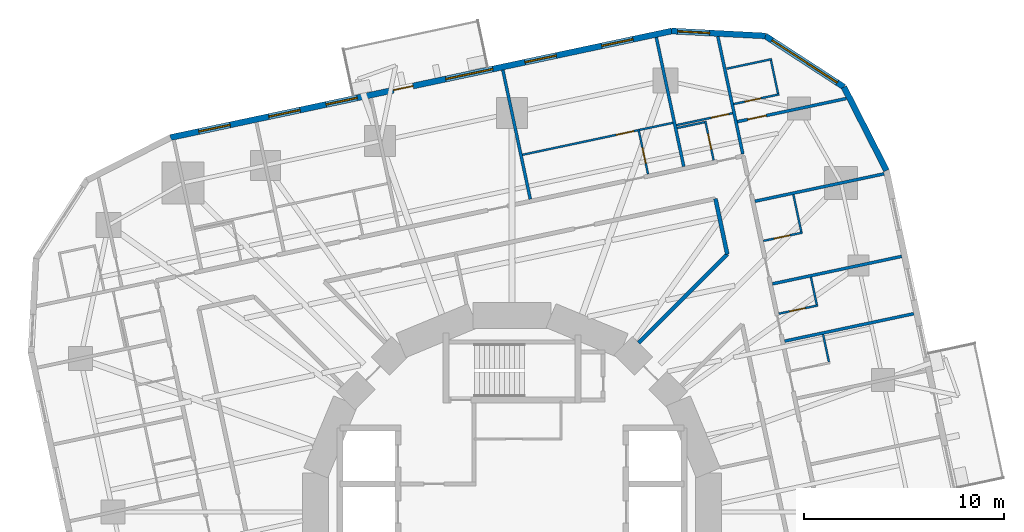
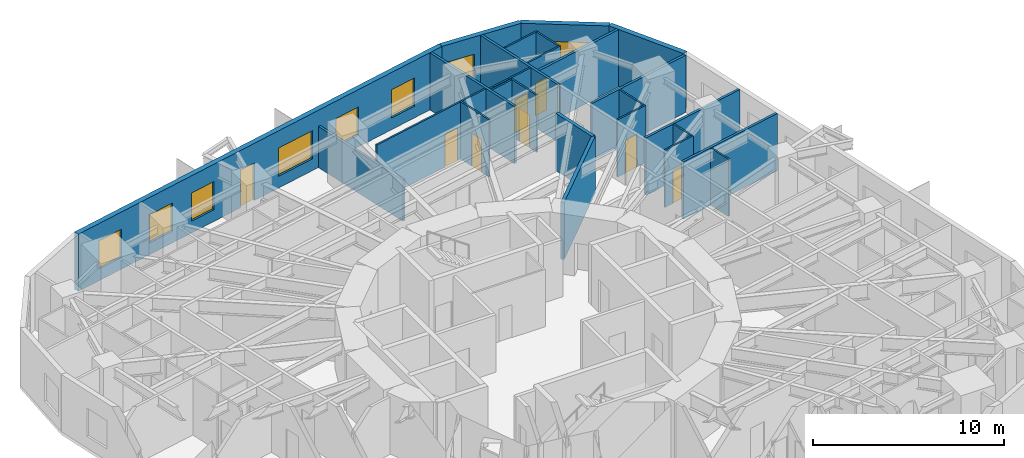
# One storey, part 11 of 14: 27 walls, 9 doors, 8 windows, 17 openings.
"""IFC4 building model written with IfcOpenShell, lengths in metres."""

from ifc_helpers import new_model, si_unit, direction, frame, frame_2d, origin, place, context, subcontext, project, spatial, rectangle, extrude, material, layer, layer_set, type_object, element, fill, save


model = new_model("IFC4")

# Units and contexts
model_context = context("Model", 3, precision=1e-05, world=origin(), true_north=direction((0.0, 1.0)))
body_context = subcontext(model_context, "Body", "Model", "MODEL_VIEW")
ifc_project = project(units=[si_unit("LENGTHUNIT", "METRE"), si_unit("AREAUNIT", "SQUARE_METRE"), si_unit("VOLUMEUNIT", "CUBIC_METRE"), si_unit("PLANEANGLEUNIT", "RADIAN"), si_unit("MASSUNIT", "GRAM", prefix="KILO")], contexts=[model_context])

# Site, building, storey
site_placement = place(None, origin())
site = spatial("IfcSite", under=ifc_project, at=site_placement, CompositionType="ELEMENT")
building_placement = place(site_placement, origin())
building = spatial("IfcBuilding", under=site, at=building_placement, Name="Nakasero Lantern House", CompositionType="ELEMENT")
storey_placement = place(building_placement, frame((0.0, 0.0, 116.550048828125)))
storey = spatial("IfcBuildingStorey", under=building, at=storey_placement, Name="L28", CompositionType="ELEMENT", Elevation=116.550048828125)

# Walls
ifc_material_1 = material(Name="Blockwork", Category="masonry")
ifc_layer_1 = layer(ifc_material_1, 0.199951171875)
ifc_layer_set_1 = layer_set([ifc_layer_1], Name="Corridor wall 200")
wall_type_1 = type_object("IfcWallType", Name="Corridor wall 200", PredefinedType="PARTITIONING", material=ifc_layer_set_1)
wall_1_placement = place(storey_placement, frame((10.75732421875, 12.878662109375, 0.0), z_axis=(0.0, 0.0, 1.0), x_axis=(-0.207908116695, 0.97814836043, 0.0)))
element("IfcWall", 1, at=wall_1_placement, inside=storey, type_object=wall_type_1, Name="Corridor wall L28 IW0-1", PredefinedType="PARTITIONING", context=body_context, shape_type="SweptSolid", body=[
    extrude(rectangle(XDim=2.83935546875, YDim=0.199951171875, at=frame_2d((1.419677734375, 0.0))), origin(), (0.0, 0.0, 1.0), 3.64990234375),
])
wall_2_placement = place(storey_placement, frame((6.334228515625, 8.45556640625, 0.0), z_axis=(0.0, 0.0, 1.0), x_axis=(0.707106781187, 0.707106781187, 0.0)))
element("IfcWall", 2, at=wall_2_placement, inside=storey, type_object=wall_type_1, Name="Corridor wall L28 PS02a", PredefinedType="PARTITIONING", context=body_context, shape_type="SweptSolid", body=[
    extrude(rectangle(XDim=6.255126953125, YDim=0.199951171875, at=frame_2d((3.12744140625, 0.0))), origin(), (0.0, 0.0, 1.0), 3.64990234375),
])
ifc_material_2 = material(Name="Blockwork", Category="masonry")
ifc_layer_2 = layer(ifc_material_2, 0.10009765625)
ifc_layer_set_2 = layer_set([ifc_layer_2], Name="En-suite wall 100")
wall_type_2 = type_object("IfcWallType", Name="En-suite wall 100", PredefinedType="PARTITIONING", material=ifc_layer_set_2)
wall_3_placement = place(storey_placement, frame((15.836669921875, 7.50048828125, 0.0), z_axis=(0.0, 0.0, 1.0), x_axis=(-0.207873355681, 0.978155748334, 0.0)))
element("IfcWall", 3, at=wall_3_placement, inside=storey, type_object=wall_type_2, Name="En-suite wall L28 EE0-05", PredefinedType="PARTITIONING", context=body_context, shape_type="SweptSolid", body=[
    extrude(rectangle(XDim=1.39990234375, YDim=0.10009765625, at=frame_2d((0.699951171875, 0.0))), origin(), (0.0, 0.0, 1.0), 3.64990234375),
])

# Wall, opening, door
wall_4_placement = place(storey_placement, frame((13.331298828125, 9.908447265625, 0.0), z_axis=(0.0, 0.0, 1.0), x_axis=(0.978128127149, 0.208003285743, 0.0)))
wall_4 = element("IfcWall", 4, at=wall_4_placement, inside=storey, type_object=wall_type_2, Name="En-suite wall L28 ES0-06", PredefinedType="PARTITIONING", context=body_context, shape_type="SweptSolid", body=[
    extrude(rectangle(XDim=2.0, YDim=0.10009765625, at=frame_2d((1.0, 0.0))), origin(), (0.0, 0.0, 1.0), 3.64990234375),
])
opening_1_placement = place(wall_4_placement, frame((0.550048828125, 0.0, 0.0)))
opening_1 = element("IfcOpeningElement", 5, at=opening_1_placement, cuts=wall_4, Name="Opening D02", PredefinedType="OPENING", context=body_context, shape_type="SweptSolid", body=[
    extrude(rectangle(XDim=0.800048828125, YDim=2.10009765625, at=frame_2d((0.39990234375, 1.050048828125))), frame((0.0, 0.070068359375, 0.0), z_axis=(0.0, -1.0, 0.0), x_axis=(1.0, 0.0, 0.0)), (0.0, 0.0, 1.0), 0.14013671875),
])
ifc_material_3 = material(Name="Timber C24", Category="wood")
door_type_1 = type_object("IfcDoorType", Name="En-suite door 800", OperationType="SINGLE_SWING_RIGHT", PredefinedType="DOOR", material=ifc_material_3)
door_1_placement = place(opening_1_placement, origin())
door_1 = element("IfcDoor", 6, at=door_1_placement, inside=storey, type_object=door_type_1, Name="Door L28 DE0-06", OperationType="SINGLE_SWING_LEFT", OverallHeight=2.10009765625, OverallWidth=0.800048828125, PredefinedType="DOOR", context=body_context, shape_type="SweptSolid", body=[
    extrude(rectangle(XDim=0.800048828125, YDim=2.10009765625, at=frame_2d((0.39990234375, 1.050048828125))), frame((0.0, 0.02490234375, 0.0), z_axis=(0.0, -1.0, 0.0), x_axis=(1.0, 0.0, 0.0)), (0.0, 0.0, 1.0), 0.050048828125),
])
fill(opening_1, door_1)

# Wall
wall_5_placement = place(storey_placement, frame((15.228271484375, 10.36279296875, 0.0), z_axis=(0.0, 0.0, 1.0), x_axis=(-0.207873355681, 0.978155748334, 0.0)))
element("IfcWall", 7, at=wall_5_placement, inside=storey, type_object=wall_type_2, Name="En-suite wall L28 EE0-06", PredefinedType="PARTITIONING", context=body_context, shape_type="SweptSolid", body=[
    extrude(rectangle(XDim=1.39990234375, YDim=0.10009765625, at=frame_2d((0.699951171875, 0.0))), origin(), (0.0, 0.0, 1.0), 3.64990234375),
])

# Wall, opening, door
wall_6_placement = place(storey_placement, frame((12.55810546875, 13.54541015625, 0.0), z_axis=(0.0, 0.0, 1.0), x_axis=(0.978152955943, 0.207886494942, 0.0)))
wall_6 = element("IfcWall", 8, at=wall_6_placement, inside=storey, type_object=wall_type_2, Name="En-suite wall L28 ES0-07", PredefinedType="PARTITIONING", context=body_context, shape_type="SweptSolid", body=[
    extrude(rectangle(XDim=2.0, YDim=0.10009765625, at=frame_2d((1.0, 0.0))), origin(), (0.0, 0.0, 1.0), 3.64990234375),
])
opening_2_placement = place(wall_6_placement, frame((0.550048828125, 0.0, 0.0)))
opening_2 = element("IfcOpeningElement", 9, at=opening_2_placement, cuts=wall_6, Name="Opening D02", PredefinedType="OPENING", context=body_context, shape_type="SweptSolid", body=[
    extrude(rectangle(XDim=0.800048828125, YDim=2.10009765625, at=frame_2d((0.39990234375, 1.050048828125))), frame((0.0, 0.070068359375, 0.0), z_axis=(0.0, -1.0, 0.0), x_axis=(1.0, 0.0, 0.0)), (0.0, 0.0, 1.0), 0.14013671875),
])
door_2_placement = place(opening_2_placement, origin())
door_2 = element("IfcDoor", 10, at=door_2_placement, inside=storey, type_object=door_type_1, Name="Door L28 DE0-07", OperationType="SINGLE_SWING_LEFT", OverallHeight=2.10009765625, OverallWidth=0.800048828125, PredefinedType="DOOR", context=body_context, shape_type="SweptSolid", body=[
    extrude(rectangle(XDim=0.800048828125, YDim=2.10009765625, at=frame_2d((0.39990234375, 1.050048828125))), frame((0.0, 0.02490234375, 0.0), z_axis=(0.0, -1.0, 0.0), x_axis=(1.0, 0.0, 0.0)), (0.0, 0.0, 1.0), 0.050048828125),
])
fill(opening_2, door_2)

# Wall
wall_7_placement = place(storey_placement, frame((14.455078125, 13.999755859375, 0.0), z_axis=(0.0, 0.0, 1.0), x_axis=(-0.207914082431, 0.978147092378, 0.0)))
element("IfcWall", 11, at=wall_7_placement, inside=storey, type_object=wall_type_2, Name="En-suite wall L28 EE0-07", PredefinedType="PARTITIONING", context=body_context, shape_type="SweptSolid", body=[
    extrude(rectangle(XDim=1.89990234375, YDim=0.10009765625, at=frame_2d((0.949951171875, 0.0))), origin(), (0.0, 0.0, 1.0), 3.64990234375),
])

# Wall, opening, door
wall_8_placement = place(storey_placement, frame((11.069091796875, 20.382568359375, 0.0), z_axis=(0.0, 0.0, 1.0), x_axis=(0.978136257952, 0.207965047255, 0.0)))
wall_8 = element("IfcWall", 12, at=wall_8_placement, inside=storey, type_object=wall_type_2, Name="En-suite wall L28 ES0-08", PredefinedType="PARTITIONING", context=body_context, shape_type="SweptSolid", body=[
    extrude(rectangle(XDim=2.3349609375, YDim=0.10009765625, at=frame_2d((1.16748046875, 0.0))), origin(), (0.0, 0.0, 1.0), 3.64990234375),
])
opening_3_placement = place(wall_8_placement, frame((0.5849609375, 0.0, 0.0)))
opening_3 = element("IfcOpeningElement", 13, at=opening_3_placement, cuts=wall_8, Name="Opening D02", PredefinedType="OPENING", context=body_context, shape_type="SweptSolid", body=[
    extrude(rectangle(XDim=0.800048828125, YDim=2.10009765625, at=frame_2d((0.39990234375, 1.050048828125))), frame((0.0, 0.070068359375, 0.0), z_axis=(0.0, -1.0, 0.0), x_axis=(1.0, 0.0, 0.0)), (0.0, 0.0, 1.0), 0.14013671875),
])
door_3_placement = place(opening_3_placement, origin())
door_3 = element("IfcDoor", 14, at=door_3_placement, inside=storey, type_object=door_type_1, Name="Door L28 DE0-08", OperationType="SINGLE_SWING_LEFT", OverallHeight=2.10009765625, OverallWidth=0.800048828125, PredefinedType="DOOR", context=body_context, shape_type="SweptSolid", body=[
    extrude(rectangle(XDim=0.800048828125, YDim=2.10009765625, at=frame_2d((0.39990234375, 1.050048828125))), frame((0.0, 0.02490234375, 0.0), z_axis=(0.0, -1.0, 0.0), x_axis=(1.0, 0.0, 0.0)), (0.0, 0.0, 1.0), 0.050048828125),
])
fill(opening_3, door_3)

# Walls
wall_9_placement = place(storey_placement, frame((13.293701171875, 20.906494140625, 0.0), z_axis=(0.0, 0.0, 1.0), x_axis=(-0.207812379357, 0.978168704767, 0.0)))
element("IfcWall", 15, at=wall_9_placement, inside=storey, type_object=wall_type_2, Name="En-suite wall L28 EE0-08", PredefinedType="PARTITIONING", context=body_context, shape_type="SweptSolid", body=[
    extrude(rectangle(XDim=1.699951171875, YDim=0.10009765625, at=frame_2d((0.85009765625, 0.0))), origin(), (0.0, 0.0, 1.0), 3.64990234375),
])
wall_10_placement = place(storey_placement, frame((10.72900390625, 22.150634765625, 0.0), z_axis=(0.0, 0.0, 1.0), x_axis=(0.978162897375, 0.207839712757, 0.0)))
element("IfcWall", 16, at=wall_10_placement, inside=storey, type_object=wall_type_2, Name="En-suite wall L28 EV0-08", PredefinedType="PARTITIONING", context=body_context, shape_type="SweptSolid", body=[
    extrude(rectangle(XDim=2.300048828125, YDim=0.10009765625, at=frame_2d((1.14990234375, 0.0))), origin(), (0.0, 0.0, 1.0), 3.64990234375),
])

# Wall, opening, door
wall_11_placement = place(storey_placement, frame((10.07421875, 17.57861328125, 0.0), z_axis=(0.0, 0.0, 1.0), x_axis=(-0.207886494942, 0.978152955943, 0.0)))
wall_11 = element("IfcWall", 17, at=wall_11_placement, inside=storey, type_object=wall_type_2, Name="En-suite wall L28 ES1-00", PredefinedType="PARTITIONING", context=body_context, shape_type="SweptSolid", body=[
    extrude(rectangle(XDim=2.0, YDim=0.10009765625, at=frame_2d((1.0, 0.0))), origin(), (0.0, 0.0, 1.0), 3.64990234375),
])
opening_4_placement = place(wall_11_placement, frame((0.550048828125, 0.0, 0.0)))
opening_4 = element("IfcOpeningElement", 18, at=opening_4_placement, cuts=wall_11, Name="Opening D02", PredefinedType="OPENING", context=body_context, shape_type="SweptSolid", body=[
    extrude(rectangle(XDim=0.800048828125, YDim=2.10009765625, at=frame_2d((0.39990234375, 1.050048828125))), frame((0.0, 0.070068359375, 0.0), z_axis=(0.0, -1.0, 0.0), x_axis=(1.0, 0.0, 0.0)), (0.0, 0.0, 1.0), 0.14013671875),
])
door_4_placement = place(opening_4_placement, origin())
door_4 = element("IfcDoor", 19, at=door_4_placement, inside=storey, type_object=door_type_1, Name="Door L28 DE1-00", OperationType="SINGLE_SWING_LEFT", OverallHeight=2.10009765625, OverallWidth=0.800048828125, PredefinedType="DOOR", context=body_context, shape_type="SweptSolid", body=[
    extrude(rectangle(XDim=0.800048828125, YDim=2.10009765625, at=frame_2d((0.39990234375, 1.050048828125))), frame((0.0, 0.02490234375, 0.0), z_axis=(0.0, -1.0, 0.0), x_axis=(1.0, 0.0, 0.0)), (0.0, 0.0, 1.0), 0.050048828125),
])
fill(opening_4, door_4)

# Wall
wall_12_placement = place(storey_placement, frame((9.619873046875, 19.4755859375, 0.0), z_axis=(0.0, 0.0, 1.0), x_axis=(-0.978155748334, -0.207873355681, 0.0)))
element("IfcWall", 20, at=wall_12_placement, inside=storey, type_object=wall_type_2, Name="En-suite wall L28 EE1-00", PredefinedType="PARTITIONING", context=body_context, shape_type="SweptSolid", body=[
    extrude(rectangle(XDim=1.39990234375, YDim=0.10009765625, at=frame_2d((0.699951171875, 0.0))), origin(), (0.0, 0.0, 1.0), 3.64990234375),
])

# Wall, opening, door
wall_13_placement = place(storey_placement, frame((6.79736328125, 16.882080078125, 0.0), z_axis=(0.0, 0.0, 1.0), x_axis=(-0.207839712757, 0.978162897375, 0.0)))
wall_13 = element("IfcWall", 21, at=wall_13_placement, inside=storey, type_object=wall_type_2, Name="En-suite wall L28 ES1-01", PredefinedType="PARTITIONING", context=body_context, shape_type="SweptSolid", body=[
    extrude(rectangle(XDim=2.300048828125, YDim=0.10009765625, at=frame_2d((1.14990234375, 0.0))), origin(), (0.0, 0.0, 1.0), 3.64990234375),
])
opening_5_placement = place(wall_13_placement, frame((0.550048828125, 0.0, 0.0)))
opening_5 = element("IfcOpeningElement", 22, at=opening_5_placement, cuts=wall_13, Name="Opening D02", PredefinedType="OPENING", context=body_context, shape_type="SweptSolid", body=[
    extrude(rectangle(XDim=0.800048828125, YDim=2.10009765625, at=frame_2d((0.39990234375, 1.050048828125))), frame((0.0, 0.070068359375, 0.0), z_axis=(0.0, -1.0, 0.0), x_axis=(1.0, 0.0, 0.0)), (0.0, 0.0, 1.0), 0.14013671875),
])
door_5_placement = place(opening_5_placement, origin())
door_5 = element("IfcDoor", 23, at=door_5_placement, inside=storey, type_object=door_type_1, Name="Door L28 DE1-01", OperationType="SINGLE_SWING_LEFT", OverallHeight=2.10009765625, OverallWidth=0.800048828125, PredefinedType="DOOR", context=body_context, shape_type="SweptSolid", body=[
    extrude(rectangle(XDim=0.800048828125, YDim=2.10009765625, at=frame_2d((0.39990234375, 1.050048828125))), frame((0.0, 0.02490234375, 0.0), z_axis=(0.0, -1.0, 0.0), x_axis=(1.0, 0.0, 0.0)), (0.0, 0.0, 1.0), 0.050048828125),
])
fill(opening_5, door_5)

# Wall
wall_14_placement = place(storey_placement, frame((8.041259765625, 19.44677734375, 0.0), z_axis=(0.0, 0.0, 1.0), x_axis=(-0.978168704767, -0.207812379357, 0.0)))
element("IfcWall", 24, at=wall_14_placement, inside=storey, type_object=wall_type_2, Name="En-suite wall L28 EE1-01", PredefinedType="PARTITIONING", context=body_context, shape_type="SweptSolid", body=[
    extrude(rectangle(XDim=1.699951171875, YDim=0.10009765625, at=frame_2d((0.85009765625, 0.0))), origin(), (0.0, 0.0, 1.0), 3.64990234375),
])

# Wall, opening, door
wall_15_placement = place(storey_placement, frame((11.022705078125, 19.92724609375, 0.0), z_axis=(0.0, 0.0, 1.0), x_axis=(-0.978143910676, -0.207929050419, 0.0)))
wall_15 = element("IfcWall", 25, at=wall_15_placement, inside=storey, type_object=wall_type_2, Name="En-suite wall L28 EL1-00", PredefinedType="PARTITIONING", context=body_context, shape_type="SweptSolid", body=[
    extrude(rectangle(XDim=2.8662109375, YDim=0.10009765625, at=frame_2d((1.43310546875, 0.0))), origin(), (0.0, 0.0, 1.0), 3.64990234375),
])
opening_6_placement = place(wall_15_placement, frame((0.199951171875, 0.0, 0.0)))
opening_6 = element("IfcOpeningElement", 26, at=opening_6_placement, cuts=wall_15, Name="Opening D17", PredefinedType="OPENING", context=body_context, shape_type="SweptSolid", body=[
    extrude(rectangle(XDim=0.89990234375, YDim=2.10009765625, at=frame_2d((0.449951171875, 1.050048828125))), frame((0.0, 0.070068359375, 0.0), z_axis=(0.0, -1.0, 0.0), x_axis=(1.0, 0.0, 0.0)), (0.0, 0.0, 1.0), 0.14013671875),
])
ifc_material_4 = material(Name="Timber C24", Category="wood")
door_type_2 = type_object("IfcDoorType", Name="Bedroom door FD30S 900", OperationType="SINGLE_SWING_LEFT", PredefinedType="DOOR", material=ifc_material_4)
door_6_placement = place(opening_6_placement, origin())
door_6 = element("IfcDoor", 27, at=door_6_placement, inside=storey, type_object=door_type_2, Name="Door L28 DL1-00", OperationType="SINGLE_SWING_LEFT", OverallHeight=2.10009765625, OverallWidth=0.89990234375, PredefinedType="DOOR", context=body_context, shape_type="SweptSolid", body=[
    extrude(rectangle(XDim=0.89990234375, YDim=2.10009765625, at=frame_2d((0.449951171875, 1.050048828125))), frame((0.0, 0.02490234375, 0.0), z_axis=(0.0, -1.0, 0.0), x_axis=(1.0, 0.0, 0.0)), (0.0, 0.0, 1.0), 0.050048828125),
])
fill(opening_6, door_6)

wall_16_placement = place(storey_placement, frame((6.28076171875, 19.072509765625, 0.0), z_axis=(0.0, 0.0, 1.0), x_axis=(-0.978149894464, -0.207900899374, 0.0)))
wall_16 = element("IfcWall", 28, at=wall_16_placement, inside=storey, type_object=wall_type_2, Name="En-suite wall L28 EL1-01", PredefinedType="PARTITIONING", context=body_context, shape_type="SweptSolid", body=[
    extrude(rectangle(XDim=5.88916015625, YDim=0.10009765625, at=frame_2d((2.944580078125, 0.0))), origin(), (0.0, 0.0, 1.0), 3.64990234375),
])
opening_7_placement = place(wall_16_placement, frame((0.199951171875, 0.0, 0.0)))
opening_7 = element("IfcOpeningElement", 29, at=opening_7_placement, cuts=wall_16, Name="Opening D17", PredefinedType="OPENING", context=body_context, shape_type="SweptSolid", body=[
    extrude(rectangle(XDim=0.89990234375, YDim=2.10009765625, at=frame_2d((0.449951171875, 1.050048828125))), frame((0.0, 0.070068359375, 0.0), z_axis=(0.0, -1.0, 0.0), x_axis=(1.0, 0.0, 0.0)), (0.0, 0.0, 1.0), 0.14013671875),
])
door_7_placement = place(opening_7_placement, origin())
door_7 = element("IfcDoor", 30, at=door_7_placement, inside=storey, type_object=door_type_2, Name="Door L28 DL1-01", OperationType="SINGLE_SWING_LEFT", OverallHeight=2.10009765625, OverallWidth=0.89990234375, PredefinedType="DOOR", context=body_context, shape_type="SweptSolid", body=[
    extrude(rectangle(XDim=0.89990234375, YDim=2.10009765625, at=frame_2d((0.449951171875, 1.050048828125))), frame((0.0, 0.02490234375, 0.0), z_axis=(0.0, -1.0, 0.0), x_axis=(1.0, 0.0, 0.0)), (0.0, 0.0, 1.0), 0.050048828125),
])
fill(opening_7, door_7)

# Wall
ifc_material_5 = material(Name="Aluminium rainscreen on blockwork", Category="masonry")
ifc_layer_3 = layer(ifc_material_5, 0.300048828125)
ifc_layer_set_3 = layer_set([ifc_layer_3], Name="Facade wall 300")
wall_type_3 = type_object("IfcWallType", Name="Facade wall 300", PredefinedType="SOLIDWALL", material=ifc_layer_set_3)
wall_17_placement = place(storey_placement, frame((18.711181640625, 17.063232421875, 0.0), z_axis=(0.0, 0.0, 1.0), x_axis=(-0.453975745332, 0.89101404178, 0.0)))
element("IfcWall", 31, at=wall_17_placement, inside=storey, type_object=wall_type_3, Name="Facade wall L28 FW0C1", PredefinedType="SOLIDWALL", context=body_context, shape_type="SweptSolid", body=[
    extrude(rectangle(XDim=4.6845703125, YDim=0.300048828125, at=frame_2d((2.34228515625, 0.0))), origin(), (0.0, 0.0, 1.0), 3.64990234375),
])

# Wall, opening, window
wall_18_placement = place(storey_placement, frame((16.58447265625, 21.2373046875, 0.0), z_axis=(0.0, 0.0, 1.0), x_axis=(-0.838692381994, 0.544605442853, 0.0)))
wall_18 = element("IfcWall", 32, at=wall_18_placement, inside=storey, type_object=wall_type_3, Name="Facade wall L28 FW0C2", PredefinedType="SOLIDWALL", context=body_context, shape_type="SweptSolid", body=[
    extrude(rectangle(XDim=4.6845703125, YDim=0.300048828125, at=frame_2d((2.34228515625, 0.0))), origin(), (0.0, 0.0, 1.0), 3.64990234375),
])
opening_8_placement = place(wall_18_placement, frame((0.39990234375, 0.0, 0.75)))
opening_8 = element("IfcOpeningElement", 33, at=opening_8_placement, cuts=wall_18, Name="Opening W238", PredefinedType="OPENING", context=body_context, shape_type="SweptSolid", body=[
    extrude(rectangle(XDim=3.885009765625, YDim=1.800048828125, at=frame_2d((1.9423828125, 0.89990234375))), frame((0.0, 0.169921875, 0.0), z_axis=(0.0, -1.0, 0.0), x_axis=(1.0, 0.0, 0.0)), (0.0, 0.0, 1.0), 0.340087890625),
])
ifc_material_6 = material(Name="Aluminium 6063-T6 and glass", Category="aluminium")
window_type_1 = type_object("IfcWindowType", Name="Corner window 3885x1800", PartitioningType="SINGLE_PANEL", PredefinedType="WINDOW", material=ifc_material_6)
window_1_placement = place(opening_8_placement, origin())
window_1 = element("IfcWindow", 34, at=window_1_placement, inside=storey, type_object=window_type_1, Name="Window L28 WC0", OverallHeight=1.800048828125, OverallWidth=3.885009765625, PartitioningType="SINGLE_PANEL", PredefinedType="WINDOW", context=body_context, shape_type="SweptSolid", body=[
    extrude(rectangle(XDim=3.885009765625, YDim=1.800048828125, at=frame_2d((1.9423828125, 0.89990234375))), frame((0.0, 0.030029296875, 0.0), z_axis=(0.0, -1.0, 0.0), x_axis=(1.0, 0.0, 0.0)), (0.0, 0.0, 1.0), 0.06005859375),
])
fill(opening_8, window_1)

wall_19_placement = place(storey_placement, frame((12.655517578125, 23.78857421875, 0.0), z_axis=(0.0, 0.0, 1.0), x_axis=(-0.998630039879, 0.052326317, 0.0)))
wall_19 = element("IfcWall", 35, at=wall_19_placement, inside=storey, type_object=wall_type_3, Name="Facade wall L28 FW0C3", PredefinedType="SOLIDWALL", context=body_context, shape_type="SweptSolid", body=[
    extrude(rectangle(XDim=4.684326171875, YDim=0.300048828125, at=frame_2d((2.34228515625, 0.0))), origin(), (0.0, 0.0, 1.0), 3.64990234375),
])
opening_9_placement = place(wall_19_placement, frame((2.784912109375, 0.0, 0.75)))
opening_9 = element("IfcOpeningElement", 36, at=opening_9_placement, cuts=wall_19, Name="Opening W01", PredefinedType="OPENING", context=body_context, shape_type="SweptSolid", body=[
    extrude(rectangle(XDim=1.60009765625, YDim=1.800048828125, at=frame_2d((0.800048828125, 0.89990234375))), frame((0.0, 0.169921875, 0.0), z_axis=(0.0, -1.0, 0.0), x_axis=(1.0, 0.0, 0.0)), (0.0, 0.0, 1.0), 0.340087890625),
])
ifc_material_7 = material(Name="Aluminium 6063-T6 and glass", Category="aluminium")
window_type_2 = type_object("IfcWindowType", Name="Bedroom window 1600x1800", PartitioningType="SINGLE_PANEL", PredefinedType="WINDOW", material=ifc_material_7)
window_2_placement = place(opening_9_placement, origin())
window_2 = element("IfcWindow", 37, at=window_2_placement, inside=storey, type_object=window_type_2, Name="Window L28 WN1-00", OverallHeight=1.800048828125, OverallWidth=1.60009765625, PartitioningType="SINGLE_PANEL", PredefinedType="WINDOW", context=body_context, shape_type="SweptSolid", body=[
    extrude(rectangle(XDim=1.60009765625, YDim=1.800048828125, at=frame_2d((0.800048828125, 0.89990234375))), frame((0.0, 0.030029296875, 0.0), z_axis=(0.0, -1.0, 0.0), x_axis=(1.0, 0.0, 0.0)), (0.0, 0.0, 1.0), 0.06005859375),
])
fill(opening_9, window_2)

# Wall, openings, door, windows
wall_20_placement = place(storey_placement, frame((7.9775390625, 24.03369140625, 0.0), z_axis=(0.0, 0.0, 1.0), x_axis=(-0.978148160964, -0.207909055127, 0.0)))
wall_20 = element("IfcWall", 38, at=wall_20_placement, inside=storey, type_object=wall_type_3, Name="Facade wall L28 FW1S", PredefinedType="SOLIDWALL", context=body_context, shape_type="SweptSolid", body=[
    extrude(rectangle(XDim=25.60009765625, YDim=0.300048828125, at=frame_2d((12.800048828125, 0.0))), origin(), (0.0, 0.0, 1.0), 3.64990234375),
])
opening_10_placement = place(wall_20_placement, frame((1.975830078125, 0.0, 0.75)))
opening_10 = element("IfcOpeningElement", 39, at=opening_10_placement, cuts=wall_20, Name="Opening W01", PredefinedType="OPENING", context=body_context, shape_type="SweptSolid", body=[
    extrude(rectangle(XDim=1.60009765625, YDim=1.800048828125, at=frame_2d((0.800048828125, 0.89990234375))), frame((0.0, 0.169921875, 0.0), z_axis=(0.0, -1.0, 0.0), x_axis=(1.0, 0.0, 0.0)), (0.0, 0.0, 1.0), 0.340087890625),
])
opening_11_placement = place(wall_20_placement, frame((5.8955078125, 0.0, 0.75)))
opening_11 = element("IfcOpeningElement", 40, at=opening_11_placement, cuts=wall_20, Name="Opening W01", PredefinedType="OPENING", context=body_context, shape_type="SweptSolid", body=[
    extrude(rectangle(XDim=1.60009765625, YDim=1.800048828125, at=frame_2d((0.800048828125, 0.89990234375))), frame((0.0, 0.169921875, 0.0), z_axis=(0.0, -1.0, 0.0), x_axis=(1.0, 0.0, 0.0)), (0.0, 0.0, 1.0), 0.340087890625),
])
opening_12_placement = place(wall_20_placement, frame((16.0556640625, 0.0, 0.75)))
opening_12 = element("IfcOpeningElement", 41, at=opening_12_placement, cuts=wall_20, Name="Opening W01", PredefinedType="OPENING", context=body_context, shape_type="SweptSolid", body=[
    extrude(rectangle(XDim=1.60009765625, YDim=1.800048828125, at=frame_2d((0.800048828125, 0.89990234375))), frame((0.0, 0.169921875, 0.0), z_axis=(0.0, -1.0, 0.0), x_axis=(1.0, 0.0, 0.0)), (0.0, 0.0, 1.0), 0.340087890625),
])
opening_13_placement = place(wall_20_placement, frame((18.982177734375, 0.0, 0.75)))
opening_13 = element("IfcOpeningElement", 42, at=opening_13_placement, cuts=wall_20, Name="Opening W01", PredefinedType="OPENING", context=body_context, shape_type="SweptSolid", body=[
    extrude(rectangle(XDim=1.60009765625, YDim=1.800048828125, at=frame_2d((0.800048828125, 0.89990234375))), frame((0.0, 0.169921875, 0.0), z_axis=(0.0, -1.0, 0.0), x_axis=(1.0, 0.0, 0.0)), (0.0, 0.0, 1.0), 0.340087890625),
])
opening_14_placement = place(wall_20_placement, frame((22.554443359375, 0.0, 0.75)))
opening_14 = element("IfcOpeningElement", 43, at=opening_14_placement, cuts=wall_20, Name="Opening W01", PredefinedType="OPENING", context=body_context, shape_type="SweptSolid", body=[
    extrude(rectangle(XDim=1.60009765625, YDim=1.800048828125, at=frame_2d((0.800048828125, 0.89990234375))), frame((0.0, 0.169921875, 0.0), z_axis=(0.0, -1.0, 0.0), x_axis=(1.0, 0.0, 0.0)), (0.0, 0.0, 1.0), 0.340087890625),
])
opening_15_placement = place(wall_20_placement, frame((9.139404296875, 0.0, 0.75)))
opening_15 = element("IfcOpeningElement", 44, at=opening_15_placement, cuts=wall_20, Name="Opening W03", PredefinedType="OPENING", context=body_context, shape_type="SweptSolid", body=[
    extrude(rectangle(XDim=2.39990234375, YDim=1.800048828125, at=frame_2d((1.199951171875, 0.89990234375))), frame((0.0, 0.169921875, 0.0), z_axis=(0.0, -1.0, 0.0), x_axis=(1.0, 0.0, 0.0)), (0.0, 0.0, 1.0), 0.340087890625),
])
opening_16_placement = place(wall_20_placement, frame((13.208251953125, 0.0, 0.0)))
opening_16 = element("IfcOpeningElement", 45, at=opening_16_placement, cuts=wall_20, Name="Opening D04", PredefinedType="OPENING", context=body_context, shape_type="SweptSolid", body=[
    extrude(rectangle(XDim=1.0, YDim=2.39990234375, at=frame_2d((0.5, 1.199951171875))), frame((0.0, 0.169921875, 0.0), z_axis=(0.0, -1.0, 0.0), x_axis=(1.0, 0.0, 0.0)), (0.0, 0.0, 1.0), 0.340087890625),
])
ifc_material_8 = material(Name="Aluminium 6063-T6 and glass", Category="aluminium")
door_type_3 = type_object("IfcDoorType", Name="Balcony door 1000x2400", OperationType="SINGLE_SWING_RIGHT", PredefinedType="DOOR", material=ifc_material_8)
door_8_placement = place(opening_16_placement, origin())
door_8 = element("IfcDoor", 46, at=door_8_placement, inside=storey, type_object=door_type_3, Name="Balcony door L28 DB1", OperationType="SINGLE_SWING_RIGHT", OverallHeight=2.39990234375, OverallWidth=1.0, PredefinedType="DOOR", context=body_context, shape_type="SweptSolid", body=[
    extrude(rectangle(XDim=1.0, YDim=2.39990234375, at=frame_2d((0.5, 1.199951171875))), frame((0.0, 0.02490234375, 0.0), z_axis=(0.0, -1.0, 0.0), x_axis=(1.0, 0.0, 0.0)), (0.0, 0.0, 1.0), 0.050048828125),
])
fill(opening_16, door_8)
window_3_placement = place(opening_10_placement, origin())
window_3 = element("IfcWindow", 47, at=window_3_placement, inside=storey, type_object=window_type_2, Name="Window L28 WN1-01", OverallHeight=1.800048828125, OverallWidth=1.60009765625, PartitioningType="SINGLE_PANEL", PredefinedType="WINDOW", context=body_context, shape_type="SweptSolid", body=[
    extrude(rectangle(XDim=1.60009765625, YDim=1.800048828125, at=frame_2d((0.800048828125, 0.89990234375))), frame((0.0, 0.030029296875, 0.0), z_axis=(0.0, -1.0, 0.0), x_axis=(1.0, 0.0, 0.0)), (0.0, 0.0, 1.0), 0.06005859375),
])
fill(opening_10, window_3)
window_4_placement = place(opening_11_placement, origin())
window_4 = element("IfcWindow", 48, at=window_4_placement, inside=storey, type_object=window_type_2, Name="Window L28 WN1-02", OverallHeight=1.800048828125, OverallWidth=1.60009765625, PartitioningType="SINGLE_PANEL", PredefinedType="WINDOW", context=body_context, shape_type="SweptSolid", body=[
    extrude(rectangle(XDim=1.60009765625, YDim=1.800048828125, at=frame_2d((0.800048828125, 0.89990234375))), frame((0.0, 0.030029296875, 0.0), z_axis=(0.0, -1.0, 0.0), x_axis=(1.0, 0.0, 0.0)), (0.0, 0.0, 1.0), 0.06005859375),
])
fill(opening_11, window_4)
window_5_placement = place(opening_12_placement, origin())
window_5 = element("IfcWindow", 49, at=window_5_placement, inside=storey, type_object=window_type_2, Name="Window L28 WN1-05", OverallHeight=1.800048828125, OverallWidth=1.60009765625, PartitioningType="SINGLE_PANEL", PredefinedType="WINDOW", context=body_context, shape_type="SweptSolid", body=[
    extrude(rectangle(XDim=1.60009765625, YDim=1.800048828125, at=frame_2d((0.800048828125, 0.89990234375))), frame((0.0, 0.030029296875, 0.0), z_axis=(0.0, -1.0, 0.0), x_axis=(1.0, 0.0, 0.0)), (0.0, 0.0, 1.0), 0.06005859375),
])
fill(opening_12, window_5)
window_6_placement = place(opening_13_placement, origin())
window_6 = element("IfcWindow", 50, at=window_6_placement, inside=storey, type_object=window_type_2, Name="Window L28 WN1-06", OverallHeight=1.800048828125, OverallWidth=1.60009765625, PartitioningType="SINGLE_PANEL", PredefinedType="WINDOW", context=body_context, shape_type="SweptSolid", body=[
    extrude(rectangle(XDim=1.60009765625, YDim=1.800048828125, at=frame_2d((0.800048828125, 0.89990234375))), frame((0.0, 0.030029296875, 0.0), z_axis=(0.0, -1.0, 0.0), x_axis=(1.0, 0.0, 0.0)), (0.0, 0.0, 1.0), 0.06005859375),
])
fill(opening_13, window_6)
window_7_placement = place(opening_14_placement, origin())
window_7 = element("IfcWindow", 51, at=window_7_placement, inside=storey, type_object=window_type_2, Name="Window L28 WN1-07", OverallHeight=1.800048828125, OverallWidth=1.60009765625, PartitioningType="SINGLE_PANEL", PredefinedType="WINDOW", context=body_context, shape_type="SweptSolid", body=[
    extrude(rectangle(XDim=1.60009765625, YDim=1.800048828125, at=frame_2d((0.800048828125, 0.89990234375))), frame((0.0, 0.030029296875, 0.0), z_axis=(0.0, -1.0, 0.0), x_axis=(1.0, 0.0, 0.0)), (0.0, 0.0, 1.0), 0.06005859375),
])
fill(opening_14, window_7)
ifc_material_9 = material(Name="Aluminium 6063-T6 and glass", Category="aluminium")
window_type_3 = type_object("IfcWindowType", Name="Lounge window 2400x1800", PartitioningType="SINGLE_PANEL", PredefinedType="WINDOW", material=ifc_material_9)
window_8_placement = place(opening_15_placement, origin())
window_8 = element("IfcWindow", 52, at=window_8_placement, inside=storey, type_object=window_type_3, Name="Window L28 WK1", OverallHeight=1.800048828125, OverallWidth=2.39990234375, PartitioningType="SINGLE_PANEL", PredefinedType="WINDOW", context=body_context, shape_type="SweptSolid", body=[
    extrude(rectangle(XDim=2.39990234375, YDim=1.800048828125, at=frame_2d((1.199951171875, 0.89990234375))), frame((0.0, 0.030029296875, 0.0), z_axis=(0.0, -1.0, 0.0), x_axis=(1.0, 0.0, 0.0)), (0.0, 0.0, 1.0), 0.06005859375),
])
fill(opening_15, window_8)

# Walls
ifc_material_10 = material(Name="Blockwork", Category="masonry")
ifc_layer_4 = layer(ifc_material_10, 0.14990234375)
ifc_layer_set_4 = layer_set([ifc_layer_4], Name="Party wall 150")
wall_type_4 = type_object("IfcWallType", Name="Party wall 150", PredefinedType="PARTITIONING", material=ifc_layer_set_4)
for number, where, z_axis, x_axis, name in (
    (53, (13.62255859375, 8.537841796875, 0.0), (0.0, 0.0, 1.0), (0.97815236361, 0.207889281984, 0.0), "Party wall L28 PW0-06"),
    (54, (13.01416015625, 11.400146484375, 0.0), (0.0, 0.0, 1.0), (0.978144841009, 0.207924673876, 0.0), "Party wall L28 PW0-07"),
    (55, (12.13720703125, 15.526123046875, 0.0), (0.0, 0.0, 1.0), (0.978144841009, 0.207924673876, 0.0), "Party wall L28 PW0-08"),
):
    element("IfcWall", number, at=place(storey_placement, frame(where, z_axis=z_axis, x_axis=x_axis)), inside=storey, type_object=wall_type_4, Name=name, PredefinedType="PARTITIONING", context=body_context, shape_type="SweptSolid", body=[
        extrude(rectangle(XDim=6.60009765625, YDim=0.14990234375, at=frame_2d((3.300048828125, 0.0))), origin(), (0.0, 0.0, 1.0), 3.64990234375),
    ])

# Wall, opening, door
wall_21_placement = place(storey_placement, frame((11.256103515625, 19.502197265625, 0.0), z_axis=(0.0, 0.0, 1.0), x_axis=(0.978142361087, 0.207936339891, 0.0)))
wall_21 = element("IfcWall", 56, at=wall_21_placement, inside=storey, type_object=wall_type_4, Name="Party wall L28 PC0", PredefinedType="PARTITIONING", context=body_context, shape_type="SweptSolid", body=[
    extrude(rectangle(XDim=5.570068359375, YDim=0.14990234375, at=frame_2d((2.78515625, 0.0))), origin(), (0.0, 0.0, 1.0), 3.64990234375),
])
opening_17_placement = place(wall_21_placement, frame((0.534912109375, 0.0, 0.0)))
opening_17 = element("IfcOpeningElement", 57, at=opening_17_placement, cuts=wall_21, Name="Opening D01", PredefinedType="OPENING", context=body_context, shape_type="SweptSolid", body=[
    extrude(rectangle(XDim=0.949951171875, YDim=2.10009765625, at=frame_2d((0.47509765625, 1.050048828125))), frame((0.0, 0.094970703125, 0.0), z_axis=(0.0, -1.0, 0.0), x_axis=(1.0, 0.0, 0.0)), (0.0, 0.0, 1.0), 0.18994140625),
])
ifc_material_11 = material(Name="Timber C24", Category="wood")
door_type_4 = type_object("IfcDoorType", Name="Bedroom door FD30S 950", OperationType="SINGLE_SWING_LEFT", PredefinedType="DOOR", material=ifc_material_11)
door_9_placement = place(opening_17_placement, origin())
door_9 = element("IfcDoor", 58, at=door_9_placement, inside=storey, type_object=door_type_4, Name="Door L28 DC0", OperationType="SINGLE_SWING_LEFT", OverallHeight=2.10009765625, OverallWidth=0.949951171875, PredefinedType="DOOR", context=body_context, shape_type="SweptSolid", body=[
    extrude(rectangle(XDim=0.949951171875, YDim=2.10009765625, at=frame_2d((0.47509765625, 1.050048828125))), frame((0.0, 0.02490234375, 0.0), z_axis=(0.0, -1.0, 0.0), x_axis=(1.0, 0.0, 0.0)), (0.0, 0.0, 1.0), 0.050048828125),
])
fill(opening_17, door_9)

# Walls
wall_22_placement = place(storey_placement, frame((11.53271484375, 17.888671875, 0.0), z_axis=(0.0, 0.0, 1.0), x_axis=(-0.207886494942, 0.978152955943, 0.0)))
element("IfcWall", 59, at=wall_22_placement, inside=storey, type_object=wall_type_4, Name="Party wall L28 PW1-00", PredefinedType="PARTITIONING", context=body_context, shape_type="SweptSolid", body=[
    extrude(rectangle(XDim=6.0, YDim=0.14990234375, at=frame_2d((3.0, 0.0))), origin(), (0.0, 0.0, 1.0), 3.64990234375),
])
wall_23_placement = place(storey_placement, frame((8.58251953125, 17.26171875, 0.0), z_axis=(0.0, 0.0, 1.0), x_axis=(-0.207932197326, 0.978143241716, 0.0)))
element("IfcWall", 60, at=wall_23_placement, inside=storey, type_object=wall_type_4, Name="Party wall L28 PW1-01", PredefinedType="PARTITIONING", context=body_context, shape_type="SweptSolid", body=[
    extrude(rectangle(XDim=6.599853515625, YDim=0.14990234375, at=frame_2d((3.2998046875, 0.0))), origin(), (0.0, 0.0, 1.0), 3.64990234375),
])
wall_24_placement = place(storey_placement, frame((0.914794921875, 15.6318359375, 0.0), z_axis=(0.0, 0.0, 1.0), x_axis=(-0.207924673876, 0.978144841009, 0.0)))
element("IfcWall", 61, at=wall_24_placement, inside=storey, type_object=wall_type_4, Name="Party wall L28 PW1-03", PredefinedType="PARTITIONING", context=body_context, shape_type="SweptSolid", body=[
    extrude(rectangle(XDim=6.60009765625, YDim=0.14990234375, at=frame_2d((3.300048828125, 0.0))), origin(), (0.0, 0.0, 1.0), 2.623779296875),
])

save(model, "model.ifc")
